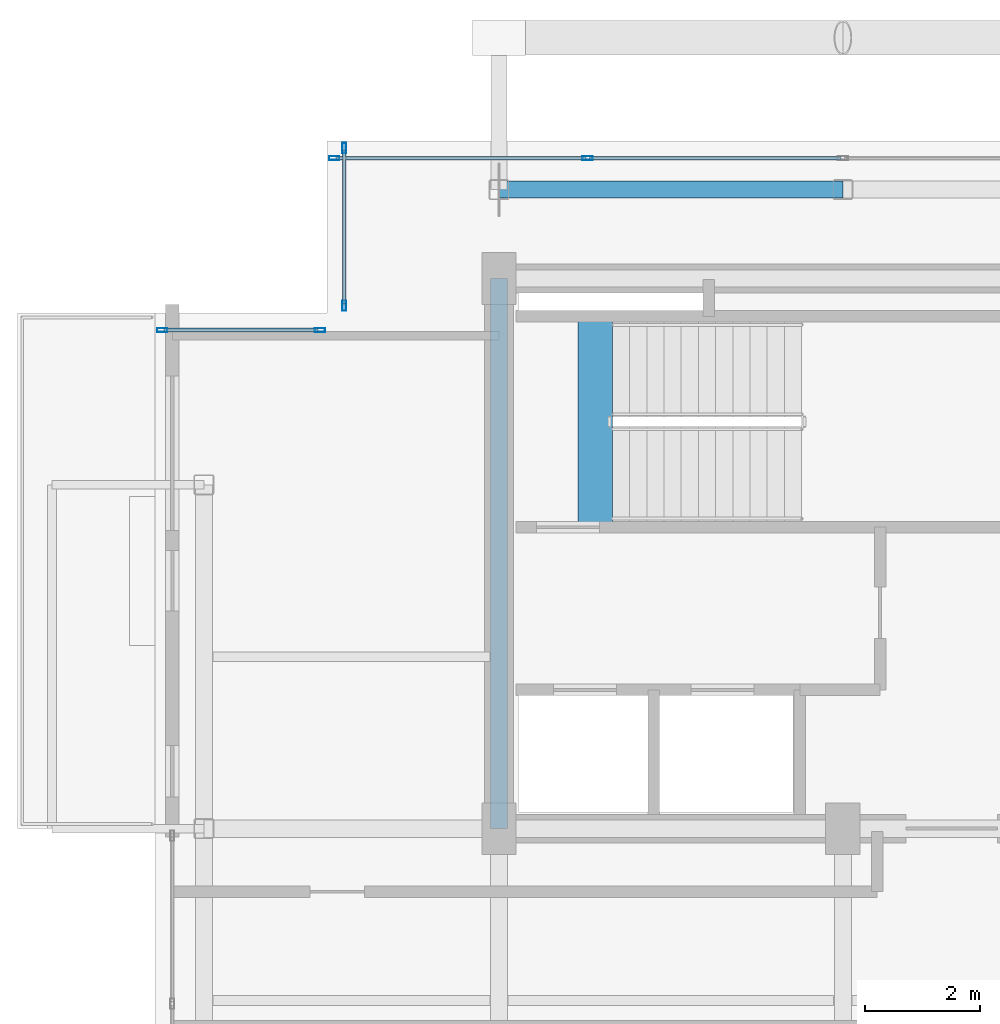
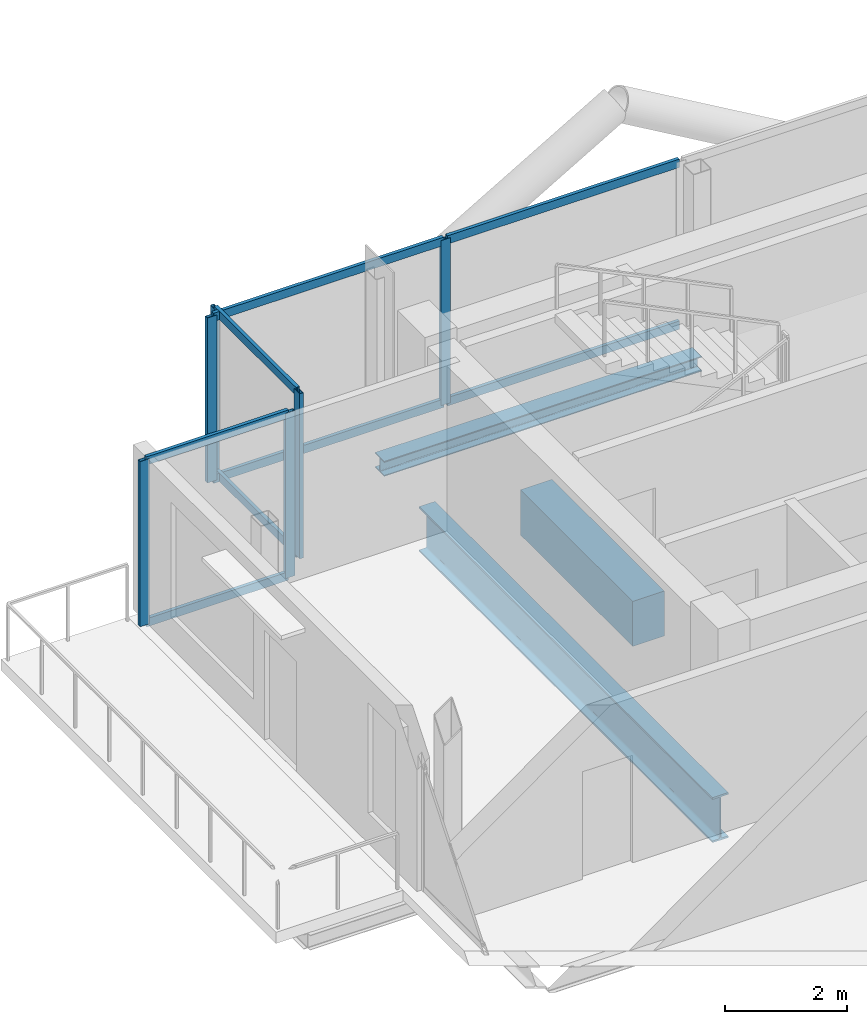
# One storey, part 8 of 19: 14 members, 3 beams, 3 elements without a shape of their own.
"""IFC4 building model written with IfcOpenShell, lengths in metres."""

from ifc_helpers import new_model, si_unit, direction, frame, origin, origin_2d, place, context, subcontext, project, spatial, rectangle, hollow_rectangle, i_section, extrude, material, layer, layer_set, material_profile, profile_set, type_object, element, aggregate, save


model = new_model("IFC4")

# Units and contexts
model_context = context("Model", 3, precision=1e-05, world=origin(), true_north=direction((0.0, 1.0)))
body_context = subcontext(model_context, "Body", "Model", "MODEL_VIEW")
ifc_project = project(units=[si_unit("LENGTHUNIT", "METRE"), si_unit("AREAUNIT", "SQUARE_METRE"), si_unit("VOLUMEUNIT", "CUBIC_METRE"), si_unit("PLANEANGLEUNIT", "RADIAN"), si_unit("MASSUNIT", "GRAM", prefix="KILO"), si_unit("THERMODYNAMICTEMPERATUREUNIT", "KELVIN"), si_unit("POWERUNIT", "WATT")], contexts=[model_context])

# Site, building, storey
site_placement = place(None, origin())
site = spatial("IfcSite", under=ifc_project, at=site_placement, CompositionType="ELEMENT")
building_placement = place(site_placement, origin())
building = spatial("IfcBuilding", under=site, at=building_placement, Name="Svarakhadi Broadcast Tower", CompositionType="ELEMENT")
storey_placement = place(building_placement, frame((0.0, 0.0, 271.199951171875)))
storey = spatial("IfcBuildingStorey", under=building, at=storey_placement, Name="L68", CompositionType="ELEMENT", Elevation=271.199951171875)

# Curtain wall, members
ifc_material_1 = material(Name="Anodised Bronze Aluminium AA 6063-T6", Category="aluminium")
ifc_layer = layer(ifc_material_1, 0.179931640625)
ifc_layer_set = layer_set([ifc_layer], Name="Anodised Bronze Aluminium AA 6063-T6")
curtain_wall_type = type_object("IfcCurtainWallType", Name="CW_Sys_05", PredefinedType="NOTDEFINED", material=ifc_layer_set)
curtain_wall_1_placement = place(storey_placement, origin())
curtain_wall_1 = element("IfcCurtainWall", 1, at=curtain_wall_1_placement, inside=storey, type_object=curtain_wall_type, Name="L68 Unitised Facade Curtain Wall 03", PredefinedType="NOTDEFINED")
ifc_material_profile_1 = material_profile(ifc_material_1, hollow_rectangle(XDim=0.070068359375, YDim=0.179931640625, WallThickness=0.005615234375, at=origin_2d()), Name="ALU MULLION 180x70x6")
ifc_profile_set_1 = profile_set([ifc_material_profile_1], Name="Anodised Bronze Aluminium AA 6063-T6")
member_type_1 = type_object("IfcMemberType", Name="CW_Sys_05_Mul", PredefinedType="MULLION", material=ifc_profile_set_1)
member_1_placement = place(storey_placement, frame((0.125, 26.699951171875, 0.0), z_axis=(0.0, 0.0, 1.0), x_axis=(0.0, 1.0, 0.0)))
member_1 = element("IfcMember", 2, at=member_1_placement, type_object=member_type_1, Name="CW-05 mullion 1", PredefinedType="MULLION", context=body_context, shape_type="SweptSolid", body=[
    extrude(hollow_rectangle(XDim=0.070068359375, YDim=0.179931640625, WallThickness=0.005615234375, at=origin_2d()), origin(), (0.0, 0.0, 1.0), 3.300048828125),
])
member_2_placement = place(storey_placement, frame((2.875, 26.699951171875, 0.0), z_axis=(0.0, 0.0, 1.0), x_axis=(0.0, 1.0, 0.0)))
member_2 = element("IfcMember", 3, at=member_2_placement, type_object=member_type_1, Name="CW-05 mullion 2", PredefinedType="MULLION", context=body_context, shape_type="SweptSolid", body=[
    extrude(hollow_rectangle(XDim=0.070068359375, YDim=0.179931640625, WallThickness=0.005615234375, at=origin_2d()), origin(), (0.0, 0.0, 1.0), 3.300048828125),
])

curtain_wall_2_placement = place(storey_placement, origin())
curtain_wall_2 = element("IfcCurtainWall", 4, at=curtain_wall_2_placement, inside=storey, type_object=curtain_wall_type, Name="L68 Unitised Facade Curtain Wall 04", PredefinedType="NOTDEFINED")
member_3_placement = place(storey_placement, frame((3.300048828125, 27.125, 0.0), z_axis=(0.0, 0.0, 1.0), x_axis=(-1.0, 0.0, 0.0)))
member_3 = element("IfcMember", 5, at=member_3_placement, type_object=member_type_1, Name="CW-05 mullion 1", PredefinedType="MULLION", context=body_context, shape_type="SweptSolid", body=[
    extrude(hollow_rectangle(XDim=0.070068359375, YDim=0.179931640625, WallThickness=0.005615234375, at=origin_2d()), origin(), (0.0, 0.0, 1.0), 3.300048828125),
])
member_4_placement = place(storey_placement, frame((3.300048828125, 29.875, 0.0), z_axis=(0.0, 0.0, 1.0), x_axis=(-1.0, 0.0, 0.0)))
member_4 = element("IfcMember", 6, at=member_4_placement, type_object=member_type_1, Name="CW-05 mullion 2", PredefinedType="MULLION", context=body_context, shape_type="SweptSolid", body=[
    extrude(hollow_rectangle(XDim=0.070068359375, YDim=0.179931640625, WallThickness=0.005615234375, at=origin_2d()), origin(), (0.0, 0.0, 1.0), 3.300048828125),
])

curtain_wall_3_placement = place(storey_placement, origin())
curtain_wall_3 = element("IfcCurtainWall", 7, at=curtain_wall_3_placement, inside=storey, type_object=curtain_wall_type, Name="L68 Unitised Facade Curtain Wall 05", PredefinedType="NOTDEFINED")
member_5_placement = place(storey_placement, frame((3.125, 29.699951171875, 0.0), z_axis=(0.0, 0.0, 1.0), x_axis=(0.0, 1.0, 0.0)))
member_5 = element("IfcMember", 8, at=member_5_placement, type_object=member_type_1, Name="CW-05 mullion 1", PredefinedType="MULLION", context=body_context, shape_type="SweptSolid", body=[
    extrude(hollow_rectangle(XDim=0.070068359375, YDim=0.179931640625, WallThickness=0.005615234375, at=origin_2d()), origin(), (0.0, 0.0, 1.0), 3.300048828125),
])
member_6_placement = place(storey_placement, frame((7.544921875, 29.699951171875, 0.0), z_axis=(0.0, 0.0, 1.0), x_axis=(0.0, 1.0, 0.0)))
member_6 = element("IfcMember", 9, at=member_6_placement, type_object=member_type_1, Name="CW-05 mullion 2", PredefinedType="MULLION", context=body_context, shape_type="SweptSolid", body=[
    extrude(hollow_rectangle(XDim=0.070068359375, YDim=0.179931640625, WallThickness=0.005615234375, at=origin_2d()), origin(), (0.0, 0.0, 1.0), 3.300048828125),
])

# Member
ifc_material_profile_2 = material_profile(ifc_material_1, hollow_rectangle(XDim=0.06494140625, YDim=0.1650390625, WallThickness=0.0048828125, at=origin_2d()), Name="ALU TRANSOM 165x65x5")
ifc_profile_set_2 = profile_set([ifc_material_profile_2], Name="Anodised Bronze Aluminium AA 6063-T6")
member_type_2 = type_object("IfcMemberType", Name="CW_Sys_05_Trn", PredefinedType="USERDEFINED", material=ifc_profile_set_2)
member_7_placement = place(storey_placement, frame((0.159912109375, 26.699951171875, 0.032470703125), z_axis=(1.0, 0.0, 0.0), x_axis=(0.0, 1.0, 0.0)))
member_7 = element("IfcMember", 10, at=member_7_placement, type_object=member_type_2, Name="CW-05 transom 1.1", ObjectType="TRANSOM", PredefinedType="USERDEFINED", context=body_context, shape_type="SweptSolid", body=[
    extrude(hollow_rectangle(XDim=0.06494140625, YDim=0.1650390625, WallThickness=0.0048828125, at=origin_2d()), origin(), (0.0, 0.0, 1.0), 2.68017578125),
])

member_8_placement = place(storey_placement, frame((0.159912109375, 26.699951171875, 3.267578125), z_axis=(1.0, 0.0, 0.0), x_axis=(0.0, 1.0, 0.0)))
member_8 = element("IfcMember", 11, at=member_8_placement, type_object=member_type_2, Name="CW-05 transom 1.2", ObjectType="TRANSOM", PredefinedType="USERDEFINED", context=body_context, shape_type="SweptSolid", body=[
    extrude(hollow_rectangle(XDim=0.06494140625, YDim=0.1650390625, WallThickness=0.0048828125, at=origin_2d()), origin(), (0.0, 0.0, 1.0), 2.68017578125),
])

aggregate(curtain_wall_1, [member_1, member_2, member_7, member_8])

member_9_placement = place(storey_placement, frame((3.300048828125, 27.159912109375, 0.032470703125), z_axis=(0.0, 1.0, 0.0), x_axis=(-1.0, 0.0, 0.0)))
member_9 = element("IfcMember", 12, at=member_9_placement, type_object=member_type_2, Name="CW-05 transom 1.1", ObjectType="TRANSOM", PredefinedType="USERDEFINED", context=body_context, shape_type="SweptSolid", body=[
    extrude(hollow_rectangle(XDim=0.06494140625, YDim=0.1650390625, WallThickness=0.0048828125, at=origin_2d()), origin(), (0.0, 0.0, 1.0), 2.68017578125),
])

member_10_placement = place(storey_placement, frame((3.300048828125, 27.159912109375, 3.267578125), z_axis=(0.0, 1.0, 0.0), x_axis=(-1.0, 0.0, 0.0)))
member_10 = element("IfcMember", 13, at=member_10_placement, type_object=member_type_2, Name="CW-05 transom 1.2", ObjectType="TRANSOM", PredefinedType="USERDEFINED", context=body_context, shape_type="SweptSolid", body=[
    extrude(hollow_rectangle(XDim=0.06494140625, YDim=0.1650390625, WallThickness=0.0048828125, at=origin_2d()), origin(), (0.0, 0.0, 1.0), 2.68017578125),
])

aggregate(curtain_wall_2, [member_3, member_4, member_9, member_10])

member_11_placement = place(storey_placement, frame((3.159912109375, 29.699951171875, 0.032470703125), z_axis=(1.0, 0.0, 0.0), x_axis=(0.0, 1.0, 0.0)))
member_11 = element("IfcMember", 14, at=member_11_placement, type_object=member_type_2, Name="CW-05 transom 1.1", ObjectType="TRANSOM", PredefinedType="USERDEFINED", context=body_context, shape_type="SweptSolid", body=[
    extrude(hollow_rectangle(XDim=0.06494140625, YDim=0.1650390625, WallThickness=0.0048828125, at=origin_2d()), origin(), (0.0, 0.0, 1.0), 4.35009765625),
])

member_12_placement = place(storey_placement, frame((3.159912109375, 29.699951171875, 3.267578125), z_axis=(1.0, 0.0, 0.0), x_axis=(0.0, 1.0, 0.0)))
member_12 = element("IfcMember", 15, at=member_12_placement, type_object=member_type_2, Name="CW-05 transom 1.2", ObjectType="TRANSOM", PredefinedType="USERDEFINED", context=body_context, shape_type="SweptSolid", body=[
    extrude(hollow_rectangle(XDim=0.06494140625, YDim=0.1650390625, WallThickness=0.0048828125, at=origin_2d()), origin(), (0.0, 0.0, 1.0), 4.35009765625),
])

member_13_placement = place(storey_placement, frame((7.580078125, 29.699951171875, 0.032470703125), z_axis=(1.0, 0.0, 0.0), x_axis=(0.0, 1.0, 0.0)))
member_13 = element("IfcMember", 16, at=member_13_placement, type_object=member_type_2, Name="CW-05 transom 2.1", ObjectType="TRANSOM", PredefinedType="USERDEFINED", context=body_context, shape_type="SweptSolid", body=[
    extrude(hollow_rectangle(XDim=0.06494140625, YDim=0.1650390625, WallThickness=0.0048828125, at=origin_2d()), origin(), (0.0, 0.0, 1.0), 4.385009765625),
])

member_14_placement = place(storey_placement, frame((7.580078125, 29.699951171875, 3.267578125), z_axis=(1.0, 0.0, 0.0), x_axis=(0.0, 1.0, 0.0)))
member_14 = element("IfcMember", 17, at=member_14_placement, type_object=member_type_2, Name="CW-05 transom 2.2", ObjectType="TRANSOM", PredefinedType="USERDEFINED", context=body_context, shape_type="SweptSolid", body=[
    extrude(hollow_rectangle(XDim=0.06494140625, YDim=0.1650390625, WallThickness=0.0048828125, at=origin_2d()), origin(), (0.0, 0.0, 1.0), 4.385009765625),
])

aggregate(curtain_wall_3, [member_5, member_6, member_11, member_12, member_13, member_14])

# Beams
ifc_material_2 = material(Name="Concrete C50/60 (IS 456 M60)", Category="concrete")
ifc_material_profile_3 = material_profile(ifc_material_2, rectangle(XDim=0.60009765625, YDim=0.89990234375, at=origin_2d()), Name="RC 600x900")
ifc_profile_set_3 = profile_set([ifc_material_profile_3], Name="Concrete C50/60 (IS 456 M60)")
beam_type_1 = type_object("IfcBeamType", Name="Coupling_RC600", PredefinedType="USERDEFINED", material=ifc_profile_set_3)
beam_1_placement = place(storey_placement, frame((7.679931640625, 23.260009765625, -0.449951171875), z_axis=(0.0, 1.0, 0.0), x_axis=(-1.0, 0.0, 0.0)))
element("IfcBeam", 18, at=beam_1_placement, inside=storey, type_object=beam_type_1, Name="L68 Stair ST-01 Landing Throat Trimmer Beam CB-01", ObjectType="GIRDER", PredefinedType="USERDEFINED", context=body_context, shape_type="SweptSolid", body=[
    extrude(rectangle(XDim=0.60009765625, YDim=0.89990234375, at=origin_2d()), origin(), (0.0, 0.0, 1.0), 3.679931640625),
])
ifc_material_3 = material(Name="Steel S355J2 (IS 2062 E350C)", Category="steel")
ifc_material_profile_4 = material_profile(ifc_material_3, i_section(OverallWidth=0.300048828125, OverallDepth=0.300048828125, WebThickness=0.010986328125, FlangeThickness=0.01904296875, FilletRadius=0.027099609375, at=origin_2d()), Name="WPB 300x300x117")
ifc_profile_set_4 = profile_set([ifc_material_profile_4], Name="Steel S355J2 (IS 2062 E350C)")
beam_type_2 = type_object("IfcBeamType", Name="Girder_WPB300", PredefinedType="USERDEFINED", material=ifc_profile_set_4)
beam_2_placement = place(storey_placement, frame((6.0, 29.14990234375, -0.349853515625), z_axis=(1.0, 0.0, 0.0), x_axis=(0.0, 1.0, 0.0)))
element("IfcBeam", 19, at=beam_2_placement, inside=storey, type_object=beam_type_2, Name="L68 Primary E-W Girder G024", ObjectType="GIRDER", PredefinedType="USERDEFINED", context=body_context, shape_type="SweptSolid", body=[
    extrude(i_section(OverallWidth=0.300048828125, OverallDepth=0.300048828125, WebThickness=0.010986328125, FlangeThickness=0.01904296875, FilletRadius=0.027099609375, at=origin_2d()), origin(), (0.0, 0.0, 1.0), 6.0),
])
ifc_material_4 = material(Name="Steel S460ML (IS 2062 E450BR)", Category="steel")
ifc_material_profile_5 = material_profile(ifc_material_4, i_section(OverallWidth=0.300048828125, OverallDepth=0.89990234375, WebThickness=0.0185546875, FlangeThickness=0.034912109375, FilletRadius=0.030029296875, at=origin_2d()), Name="WPB 900x300x291")
ifc_profile_set_5 = profile_set([ifc_material_profile_5], Name="Steel S460ML (IS 2062 E450BR)")
beam_type_3 = type_object("IfcBeamType", Name="Girder_WPB900", PredefinedType="USERDEFINED", material=ifc_profile_set_5)
beam_3_placement = place(storey_placement, frame((6.0, 18.0, -0.64990234375), z_axis=(0.0, 1.0, 0.0), x_axis=(-1.0, 0.0, 0.0)))
element("IfcBeam", 20, at=beam_3_placement, inside=storey, type_object=beam_type_3, Name="L68 Primary N-S Girder G032", ObjectType="GIRDER", PredefinedType="USERDEFINED", context=body_context, shape_type="SweptSolid", body=[
    extrude(i_section(OverallWidth=0.300048828125, OverallDepth=0.89990234375, WebThickness=0.0185546875, FlangeThickness=0.034912109375, FilletRadius=0.030029296875, at=origin_2d()), origin(), (0.0, 0.0, 1.0), 9.60009765625),
])

save(model, "model.ifc")
